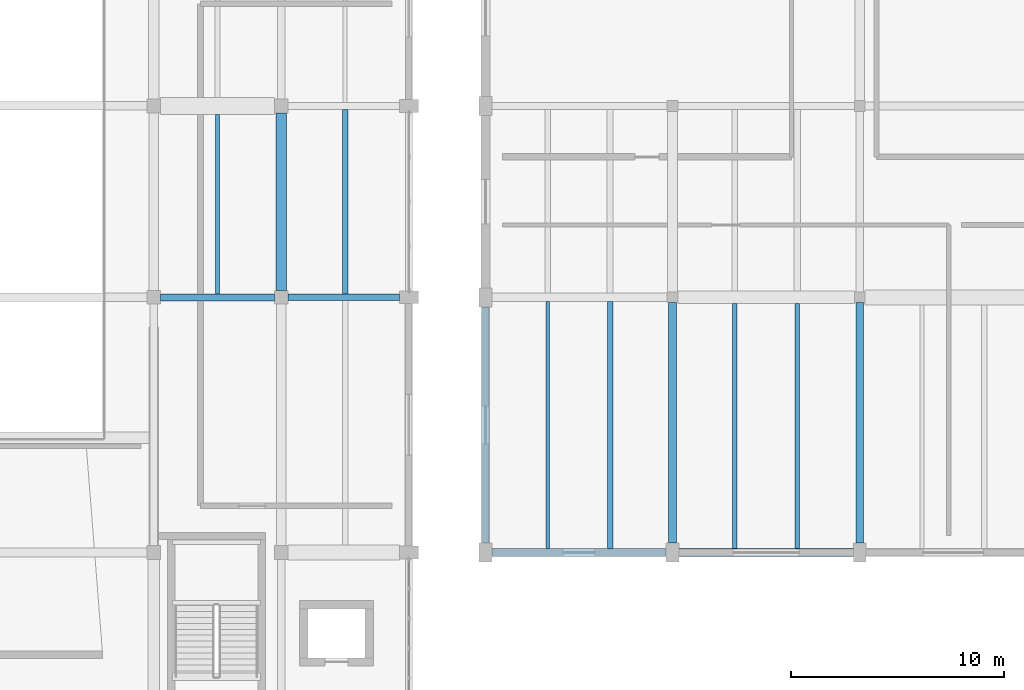
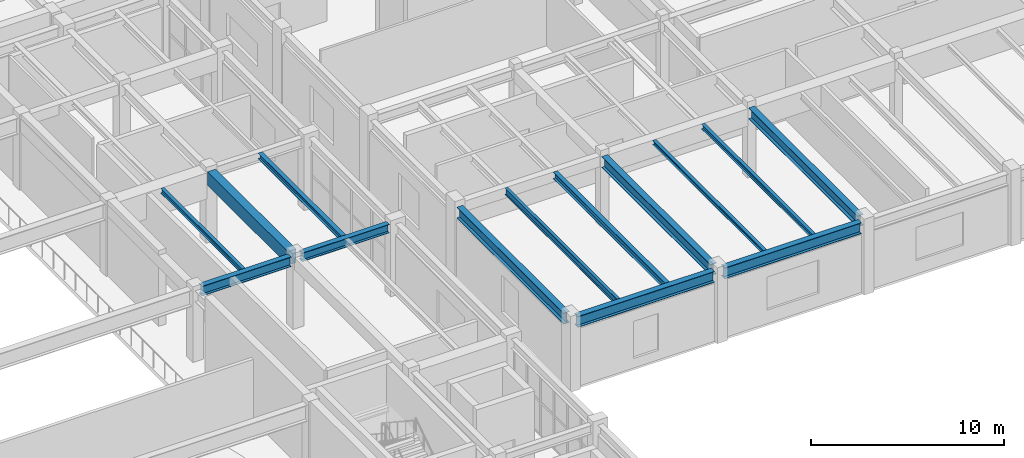
# One storey, part 29 of 80: 14 beams.
"""IFC4 building model written with IfcOpenShell, lengths in metres."""

from ifc_helpers import new_model, si_unit, direction, frame, origin, origin_2d, place, context, subcontext, project, spatial, rectangle, i_section, extrude, material, material_profile, profile_set, type_object, element, save


model = new_model("IFC4")

# Units and contexts
model_context = context("Model", 3, precision=1e-05, world=origin(), true_north=direction((0.0, 1.0)))
body_context = subcontext(model_context, "Body", "Model", "MODEL_VIEW")
ifc_project = project(units=[si_unit("LENGTHUNIT", "METRE"), si_unit("AREAUNIT", "SQUARE_METRE"), si_unit("VOLUMEUNIT", "CUBIC_METRE"), si_unit("PLANEANGLEUNIT", "RADIAN"), si_unit("MASSUNIT", "GRAM", prefix="KILO")], contexts=[model_context])

# Site, building, storey
site_placement = place(None, origin())
site = spatial("IfcSite", under=ifc_project, at=site_placement, CompositionType="ELEMENT")
building_placement = place(site_placement, origin())
building = spatial("IfcBuilding", under=site, at=building_placement, Name="Vaelkrest Opera House", CompositionType="ELEMENT")
storey_placement = place(building_placement, frame((0.0, 0.0, 15.0)))
storey = spatial("IfcBuildingStorey", under=building, at=storey_placement, Name="L03", CompositionType="ELEMENT", Elevation=15.0)

# Beams
ifc_material_1 = material(Name="Concrete C50/60", Category="concrete")
ifc_material_profile_1 = material_profile(ifc_material_1, rectangle(XDim=0.5, YDim=0.85009765625, at=origin_2d()), Name="RCB500X850")
ifc_profile_set_1 = profile_set([ifc_material_profile_1], Name="Concrete C50/60")
beam_type_1 = type_object("IfcBeamType", Name="B03", PredefinedType="BEAM", material=ifc_profile_set_1)
beam_1_placement = place(storey_placement, frame((24.0, -7.47509765625, 4.080078125), z_axis=(0.0, 1.0, 0.0), x_axis=(-1.0, 0.0, 0.0)))
element("IfcBeam", 1, at=beam_1_placement, inside=storey, type_object=beam_type_1, Name="Beam BM-V1-L03-0504", PredefinedType="BEAM", context=body_context, shape_type="SweptSolid", body=[
    extrude(rectangle(XDim=0.5, YDim=0.85009765625, at=origin_2d()), origin(), (0.0, 0.0, 1.0), 8.35009765625),
])
ifc_material_2 = material(Name="Steel A992 Gr50", Category="steel")
ifc_material_profile_2 = material_profile(ifc_material_2, i_section(OverallWidth=0.35498046875, OverallDepth=0.695068359375, WebThickness=0.015380859375, FlangeThickness=0.02490234375, at=origin_2d()), Name="W27X146")
ifc_profile_set_2 = profile_set([ifc_material_profile_2], Name="Steel A992 Gr50")
beam_type_2 = type_object("IfcBeamType", Name="B10", PredefinedType="BEAM", material=ifc_profile_set_2)
beam_2_placement = place(storey_placement, frame((51.199951171875, -19.35009765625, 4.072509765625), z_axis=(0.0, 1.0, 0.0), x_axis=(-1.0, 0.0, 0.0)))
element("IfcBeam", 2, at=beam_2_placement, inside=storey, type_object=beam_type_2, Name="Beam BM-V4-L03-2369", PredefinedType="BEAM", context=body_context, shape_type="SweptSolid", body=[
    extrude(i_section(OverallWidth=0.35498046875, OverallDepth=0.695068359375, WebThickness=0.015380859375, FlangeThickness=0.02490234375, at=origin_2d()), origin(), (0.0, 0.0, 1.0), 11.300048828125),
])
ifc_material_profile_3 = material_profile(ifc_material_2, i_section(OverallWidth=0.35791015625, OverallDepth=0.7060546875, WebThickness=0.018310546875, FlangeThickness=0.0302734375, at=origin_2d()), Name="W27X178")
ifc_profile_set_3 = profile_set([ifc_material_profile_3], Name="Steel A992 Gr50")
beam_type_3 = type_object("IfcBeamType", Name="B14", PredefinedType="BEAM", material=ifc_profile_set_3)
beam_3_placement = place(storey_placement, frame((42.39990234375, -19.35009765625, 4.06689453125), z_axis=(0.0, 1.0, 0.0), x_axis=(-1.0, 0.0, 0.0)))
element("IfcBeam", 3, at=beam_3_placement, inside=storey, type_object=beam_type_3, Name="Beam BM-V4-L03-2366", PredefinedType="BEAM", context=body_context, shape_type="SweptSolid", body=[
    extrude(i_section(OverallWidth=0.35791015625, OverallDepth=0.7060546875, WebThickness=0.018310546875, FlangeThickness=0.0302734375, at=origin_2d()), origin(), (0.0, 0.0, 1.0), 11.300048828125),
])
ifc_material_profile_4 = material_profile(ifc_material_2, i_section(OverallWidth=0.326904296875, OverallDepth=0.6220703125, WebThickness=0.015380859375, FlangeThickness=0.0244140625, at=origin_2d()), Name="W24X131")
ifc_profile_set_4 = profile_set([ifc_material_profile_4], Name="Steel A992 Gr50")
beam_type_4 = type_object("IfcBeamType", Name="B19", PredefinedType="BEAM", material=ifc_profile_set_4)
beam_4_placement = place(storey_placement, frame((18.324951171875, -7.800048828125, 4.194091796875), z_axis=(1.0, 0.0, 0.0), x_axis=(0.0, 1.0, 0.0)))
element("IfcBeam", 4, at=beam_4_placement, inside=storey, type_object=beam_type_4, Name="Beam BM-V1-L03-0451", PredefinedType="BEAM", context=body_context, shape_type="SweptSolid", body=[
    extrude(i_section(OverallWidth=0.326904296875, OverallDepth=0.6220703125, WebThickness=0.015380859375, FlangeThickness=0.0244140625, at=origin_2d()), origin(), (0.0, 0.0, 1.0), 5.35009765625),
])
ifc_material_profile_5 = material_profile(ifc_material_2, i_section(OverallWidth=0.31494140625, OverallDepth=0.551025390625, WebThickness=0.01513671875, FlangeThickness=0.0244140625, at=origin_2d()), Name="W21X122")
ifc_profile_set_5 = profile_set([ifc_material_profile_5], Name="Steel A992 Gr50")
beam_type_5 = type_object("IfcBeamType", Name="B20", PredefinedType="BEAM", material=ifc_profile_set_5)
beam_5_placement = place(storey_placement, frame((24.324951171875, -7.800048828125, 4.2294921875), z_axis=(1.0, 0.0, 0.0), x_axis=(0.0, 1.0, 0.0)))
element("IfcBeam", 5, at=beam_5_placement, inside=storey, type_object=beam_type_5, Name="Beam BM-V1-L03-0452", PredefinedType="BEAM", context=body_context, shape_type="SweptSolid", body=[
    extrude(i_section(OverallWidth=0.31494140625, OverallDepth=0.551025390625, WebThickness=0.01513671875, FlangeThickness=0.0244140625, at=origin_2d()), origin(), (0.0, 0.0, 1.0), 5.22509765625),
])
ifc_material_profile_6 = material_profile(ifc_material_2, i_section(OverallWidth=0.2041015625, OverallDepth=0.257080078125, WebThickness=0.0087890625, FlangeThickness=0.015625, at=origin_2d()), Name="W10X45")
ifc_profile_set_6 = profile_set([ifc_material_profile_6], Name="Steel A992 Gr50")
beam_type_6 = type_object("IfcBeamType", Name="J01", PredefinedType="JOIST", material=ifc_profile_set_6)
beam_6_placement = place(storey_placement, frame((45.3330078125, -19.62255859375, 4.29150390625), z_axis=(0.0, 1.0, 0.0), x_axis=(-1.0, 0.0, 0.0)))
element("IfcBeam", 6, at=beam_6_placement, inside=storey, type_object=beam_type_6, Name="Floor joist JST-V4-L03-2391", PredefinedType="JOIST", context=body_context, shape_type="SweptSolid", body=[
    extrude(i_section(OverallWidth=0.2041015625, OverallDepth=0.257080078125, WebThickness=0.0087890625, FlangeThickness=0.015625, at=origin_2d()), origin(), (0.0, 0.0, 1.0), 11.5224609375),
])
ifc_material_profile_7 = material_profile(ifc_material_2, i_section(OverallWidth=0.202880859375, OverallDepth=0.302978515625, WebThickness=0.007568359375, FlangeThickness=0.01318359375, at=origin_2d()), Name="W12X40")
ifc_profile_set_7 = profile_set([ifc_material_profile_7], Name="Steel A992 Gr50")
beam_type_7 = type_object("IfcBeamType", Name="J02", PredefinedType="JOIST", material=ifc_profile_set_7)
beam_7_placement = place(storey_placement, frame((21.0, -7.636474609375, 4.353515625), z_axis=(0.0, 1.0, 0.0), x_axis=(-1.0, 0.0, 0.0)))
element("IfcBeam", 7, at=beam_7_placement, inside=storey, type_object=beam_type_7, Name="Floor joist JST-V1-L03-0522", PredefinedType="JOIST", context=body_context, shape_type="SweptSolid", body=[
    extrude(i_section(OverallWidth=0.202880859375, OverallDepth=0.302978515625, WebThickness=0.007568359375, FlangeThickness=0.01318359375, at=origin_2d()), origin(), (0.0, 0.0, 1.0), 8.4365234375),
])
beam_8_placement = place(storey_placement, frame((48.26708984375, -19.62255859375, 4.2685546875), z_axis=(0.0, 1.0, 0.0), x_axis=(-1.0, 0.0, 0.0)))
element("IfcBeam", 8, at=beam_8_placement, inside=storey, type_object=beam_type_7, Name="Floor joist JST-V4-L03-2392", PredefinedType="JOIST", context=body_context, shape_type="SweptSolid", body=[
    extrude(i_section(OverallWidth=0.202880859375, OverallDepth=0.302978515625, WebThickness=0.007568359375, FlangeThickness=0.01318359375, at=origin_2d()), origin(), (0.0, 0.0, 1.0), 11.5224609375),
])
ifc_material_profile_8 = material_profile(ifc_material_2, i_section(OverallWidth=0.257080078125, OverallDepth=0.363037109375, WebThickness=0.012939453125, FlangeThickness=0.021728515625, at=origin_2d()), Name="W14X82")
ifc_profile_set_8 = profile_set([ifc_material_profile_8], Name="Steel A992 Gr50")
beam_type_8 = type_object("IfcBeamType", Name="J06", PredefinedType="JOIST", material=ifc_profile_set_8)
beam_9_placement = place(storey_placement, frame((27.0, -7.642578125, 4.323486328125), z_axis=(0.0, 1.0, 0.0), x_axis=(-1.0, 0.0, 0.0)))
element("IfcBeam", 9, at=beam_9_placement, inside=storey, type_object=beam_type_8, Name="Floor joist JST-V1-L03-0526", PredefinedType="JOIST", context=body_context, shape_type="SweptSolid", body=[
    extrude(i_section(OverallWidth=0.257080078125, OverallDepth=0.363037109375, WebThickness=0.012939453125, FlangeThickness=0.021728515625, at=origin_2d()), origin(), (0.0, 0.0, 1.0), 8.6806640625),
])
ifc_material_profile_9 = material_profile(ifc_material_2, i_section(OverallWidth=0.180908203125, OverallDepth=0.4169921875, WebThickness=0.010986328125, FlangeThickness=0.018310546875, at=origin_2d()), Name="W16X57")
ifc_profile_set_9 = profile_set([ifc_material_profile_9], Name="Steel A992 Gr50")
beam_type_9 = type_object("IfcBeamType", Name="J07", PredefinedType="JOIST", material=ifc_profile_set_9)
beam_10_placement = place(storey_placement, frame((36.532958984375, -19.62255859375, 4.21142578125), z_axis=(0.0, 1.0, 0.0), x_axis=(-1.0, 0.0, 0.0)))
element("IfcBeam", 10, at=beam_10_placement, inside=storey, type_object=beam_type_9, Name="Floor joist JST-V4-L03-2387", PredefinedType="JOIST", context=body_context, shape_type="SweptSolid", body=[
    extrude(i_section(OverallWidth=0.180908203125, OverallDepth=0.4169921875, WebThickness=0.010986328125, FlangeThickness=0.018310546875, at=origin_2d()), origin(), (0.0, 0.0, 1.0), 11.62255859375),
])
ifc_material_profile_10 = material_profile(ifc_material_2, i_section(OverallWidth=0.261962890625, OverallDepth=0.4189453125, WebThickness=0.01171875, FlangeThickness=0.019287109375, at=origin_2d()), Name="W16X77")
ifc_profile_set_10 = profile_set([ifc_material_profile_10], Name="Steel A992 Gr50")
beam_type_10 = type_object("IfcBeamType", Name="J08", PredefinedType="JOIST", material=ifc_profile_set_10)
beam_11_placement = place(storey_placement, frame((39.467041015625, -19.62255859375, 4.21044921875), z_axis=(0.0, 1.0, 0.0), x_axis=(-1.0, 0.0, 0.0)))
element("IfcBeam", 11, at=beam_11_placement, inside=storey, type_object=beam_type_10, Name="Floor joist JST-V4-L03-2388", PredefinedType="JOIST", context=body_context, shape_type="SweptSolid", body=[
    extrude(i_section(OverallWidth=0.261962890625, OverallDepth=0.4189453125, WebThickness=0.01171875, FlangeThickness=0.019287109375, at=origin_2d()), origin(), (0.0, 0.0, 1.0), 11.62255859375),
])
ifc_material_profile_11 = material_profile(ifc_material_2, i_section(OverallWidth=0.35498046875, OverallDepth=0.695068359375, WebThickness=0.015380859375, FlangeThickness=0.02490234375, at=origin_2d()), Name="W27X146")
ifc_profile_set_11 = profile_set([ifc_material_profile_11], Name="Steel A992 Gr50")
beam_type_11 = type_object("IfcBeamType", Name="SP02", PredefinedType="SPANDREL", material=ifc_profile_set_11)
beam_12_placement = place(storey_placement, frame((33.89990234375, -19.800048828125, 4.072509765625), z_axis=(1.0, 0.0, 0.0), x_axis=(0.0, 1.0, 0.0)))
element("IfcBeam", 12, at=beam_12_placement, inside=storey, type_object=beam_type_11, Name="Beam BM-V4-L03-2336", PredefinedType="SPANDREL", context=body_context, shape_type="SweptSolid", body=[
    extrude(i_section(OverallWidth=0.35498046875, OverallDepth=0.695068359375, WebThickness=0.015380859375, FlangeThickness=0.02490234375, at=origin_2d()), origin(), (0.0, 0.0, 1.0), 8.2001953125),
])
beam_13_placement = place(storey_placement, frame((42.699951171875, -19.800048828125, 4.072509765625), z_axis=(1.0, 0.0, 0.0), x_axis=(0.0, 1.0, 0.0)))
element("IfcBeam", 13, at=beam_13_placement, inside=storey, type_object=beam_type_11, Name="Beam BM-V4-L03-2337", PredefinedType="SPANDREL", context=body_context, shape_type="SweptSolid", body=[
    extrude(i_section(OverallWidth=0.35498046875, OverallDepth=0.695068359375, WebThickness=0.015380859375, FlangeThickness=0.02490234375, at=origin_2d()), origin(), (0.0, 0.0, 1.0), 8.199951171875),
])
beam_14_placement = place(storey_placement, frame((33.60009765625, -19.35009765625, 4.072509765625), z_axis=(0.0, 1.0, 0.0), x_axis=(-1.0, 0.0, 0.0)))
element("IfcBeam", 14, at=beam_14_placement, inside=storey, type_object=beam_type_11, Name="Beam BM-V4-L03-2361", PredefinedType="SPANDREL", context=body_context, shape_type="SweptSolid", body=[
    extrude(i_section(OverallWidth=0.35498046875, OverallDepth=0.695068359375, WebThickness=0.015380859375, FlangeThickness=0.02490234375, at=origin_2d()), origin(), (0.0, 0.0, 1.0), 11.10009765625),
])

save(model, "model.ifc")
